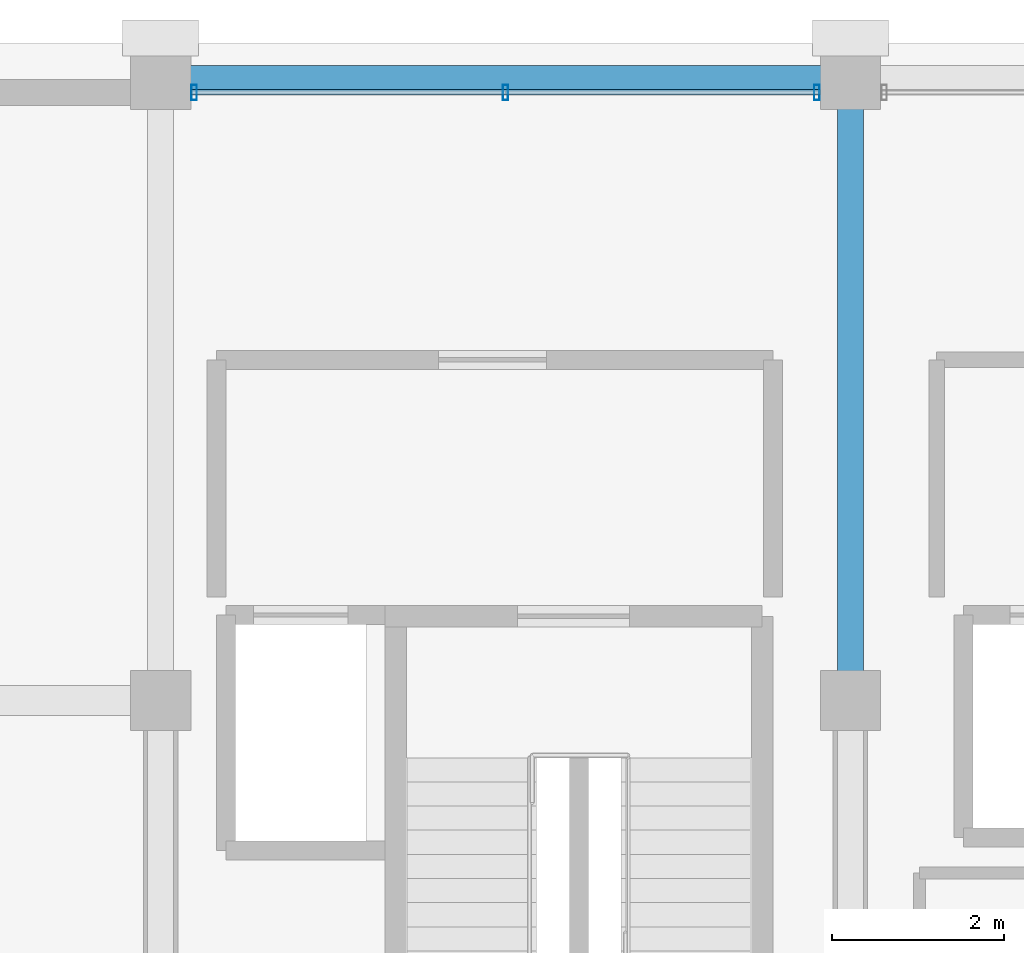
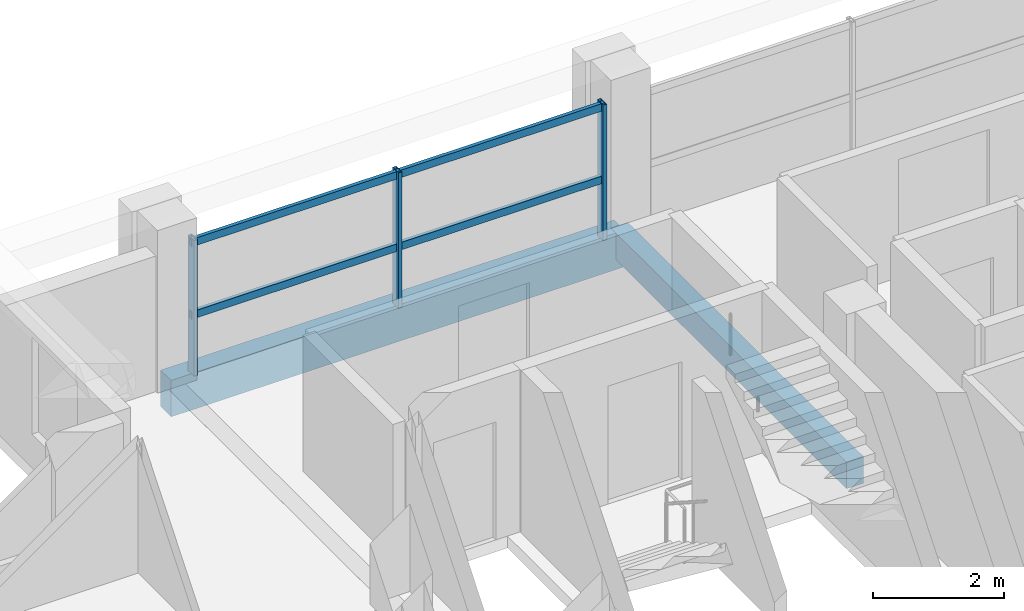
# One storey, part 11 of 21: 5 members, 2 beams, 1 element without a shape of its own.
"""IFC4 building model written with IfcOpenShell, lengths in metres."""

from ifc_helpers import new_model, si_unit, direction, frame, origin, origin_2d, place, context, subcontext, project, spatial, rectangle, hollow_rectangle, extrude, material, material_profile, profile_set, type_object, element, aggregate, save


model = new_model("IFC4")

# Units and contexts
model_context = context("Model", 3, precision=1e-05, world=origin(), true_north=direction((0.0, 1.0)))
body_context = subcontext(model_context, "Body", "Model", "MODEL_VIEW")
ifc_project = project(units=[si_unit("LENGTHUNIT", "METRE"), si_unit("AREAUNIT", "SQUARE_METRE"), si_unit("VOLUMEUNIT", "CUBIC_METRE"), si_unit("PLANEANGLEUNIT", "RADIAN"), si_unit("MASSUNIT", "GRAM", prefix="KILO")], contexts=[model_context])

# Site, building, storey
site_placement = place(None, origin())
site = spatial("IfcSite", under=ifc_project, at=site_placement, CompositionType="ELEMENT")
building_placement = place(site_placement, origin())
building = spatial("IfcBuilding", under=site, at=building_placement, Name="Akrevak Sports Hall", CompositionType="ELEMENT")
storey_placement = place(building_placement, frame((0.0, 0.0, 53.550048828125)))
storey = spatial("IfcBuildingStorey", under=building, at=storey_placement, Name="L13", CompositionType="ELEMENT", Elevation=53.550048828125)

# Curtain wall, members
ifc_material_1 = material(Name="Anodized Bronze Aluminium & Low-E Glass", Category="aluminium")
curtain_wall_type = type_object("IfcCurtainWallType", Name="ARC-CW-TWR-68x30", PredefinedType="NOTDEFINED", material=ifc_material_1)
curtain_wall_placement = place(storey_placement, origin())
curtain_wall = element("IfcCurtainWall", 1, at=curtain_wall_placement, inside=storey, type_object=curtain_wall_type, Name="Curtain Wall CW-L13-N22", PredefinedType="NOTDEFINED")
ifc_material_2 = material(Name="Anodized Bronze Aluminium", Category="aluminium")
ifc_material_profile_1 = material_profile(ifc_material_2, hollow_rectangle(XDim=0.06494140625, YDim=0.179931640625, WallThickness=0.00390625, at=origin_2d()), Name="CWM 65x180", Category="aluminium")
ifc_profile_set_1 = profile_set([ifc_material_profile_1], Name="Anodized Bronze Aluminium")
member_type_1 = type_object("IfcMemberType", Name="ARC-CWM-65x140", PredefinedType="MULLION", material=ifc_profile_set_1)
member_1_placement = place(storey_placement, frame((67.610107421875, 69.449951171875, 0.0), z_axis=(0.0, 0.0, 1.0), x_axis=(-1.0, 0.0, 0.0)))
member_1 = element("IfcMember", 2, at=member_1_placement, type_object=member_type_1, Name="Curtain Wall Mullion CW-L13-N22-M1", PredefinedType="MULLION", context=body_context, shape_type="SweptSolid", body=[
    extrude(hollow_rectangle(XDim=0.06494140625, YDim=0.179931640625, WallThickness=0.00390625, at=origin_2d()), origin(), (0.0, 0.0, 1.0), 2.530029296875),
])
member_2_placement = place(storey_placement, frame((64.0, 69.449951171875, 0.0), z_axis=(0.0, 0.0, 1.0), x_axis=(-1.0, 0.0, 0.0)))
member_2 = element("IfcMember", 3, at=member_2_placement, type_object=member_type_1, Name="Curtain Wall Mullion CW-L13-N22-M2", PredefinedType="MULLION", context=body_context, shape_type="SweptSolid", body=[
    extrude(hollow_rectangle(XDim=0.06494140625, YDim=0.179931640625, WallThickness=0.00390625, at=origin_2d()), origin(), (0.0, 0.0, 1.0), 2.530029296875),
])
member_3_placement = place(storey_placement, frame((60.389892578125, 69.449951171875, 0.0), z_axis=(0.0, 0.0, 1.0), x_axis=(-1.0, 0.0, 0.0)))
member_3 = element("IfcMember", 4, at=member_3_placement, type_object=member_type_1, Name="Curtain Wall Mullion CW-L13-N22-M3", PredefinedType="MULLION", context=body_context, shape_type="SweptSolid", body=[
    extrude(hollow_rectangle(XDim=0.06494140625, YDim=0.179931640625, WallThickness=0.00390625, at=origin_2d()), origin(), (0.0, 0.0, 1.0), 2.530029296875),
])
ifc_material_profile_2 = material_profile(ifc_material_2, hollow_rectangle(XDim=0.06494140625, YDim=0.139892578125, WallThickness=0.00390625, at=origin_2d()), Name="CWT 65x140", Category="aluminium")
ifc_profile_set_2 = profile_set([ifc_material_profile_2], Name="Anodized Bronze Aluminium")
member_type_2 = type_object("IfcMemberType", Name="ARC-CWT-65x110", PredefinedType="USERDEFINED", material=ifc_profile_set_2)
member_4_placement = place(storey_placement, frame((67.64990234375, 69.449951171875, 1.099853515625), z_axis=(-1.0, 0.0, 0.0), x_axis=(0.0, -1.0, 0.0)))
member_4 = element("IfcMember", 5, at=member_4_placement, type_object=member_type_2, Name="Curtain Wall Transom CW-L13-N22-T1", ObjectType="TRANSOM", PredefinedType="USERDEFINED", context=body_context, shape_type="SweptSolid", body=[
    extrude(hollow_rectangle(XDim=0.06494140625, YDim=0.139892578125, WallThickness=0.00390625, at=origin_2d()), origin(), (0.0, 0.0, 1.0), 7.2998046875),
])
member_5_placement = place(storey_placement, frame((67.64990234375, 69.449951171875, 2.449951171875), z_axis=(-1.0, 0.0, 0.0), x_axis=(0.0, -1.0, 0.0)))
member_5 = element("IfcMember", 6, at=member_5_placement, type_object=member_type_2, Name="Curtain Wall Transom CW-L13-N22-T2", ObjectType="TRANSOM", PredefinedType="USERDEFINED", context=body_context, shape_type="SweptSolid", body=[
    extrude(hollow_rectangle(XDim=0.06494140625, YDim=0.139892578125, WallThickness=0.00390625, at=origin_2d()), origin(), (0.0, 0.0, 1.0), 7.2998046875),
])
aggregate(curtain_wall, [member_1, member_2, member_3, member_4, member_5])

# Beams
ifc_material_3 = material(Name="Concrete C40/50", Category="concrete")
ifc_material_profile_3 = material_profile(ifc_material_3, rectangle(XDim=0.300048828125, YDim=0.5, at=origin_2d()), Name="BM 300x500", Category="concrete")
ifc_profile_set_3 = profile_set([ifc_material_profile_3], Name="Concrete C40/50")
beam_type_1 = type_object("IfcBeamType", Name="STR-BM-RC300x500", PredefinedType="BEAM", material=ifc_profile_set_3)
beam_1_placement = place(storey_placement, frame((68.0, 62.39990234375, -0.25), z_axis=(0.0, 1.0, 0.0), x_axis=(-1.0, 0.0, 0.0)))
element("IfcBeam", 7, at=beam_1_placement, inside=storey, type_object=beam_type_1, Name="Girder 10/J-K (L13)", PredefinedType="BEAM", context=body_context, shape_type="SweptSolid", body=[
    extrude(rectangle(XDim=0.300048828125, YDim=0.5, at=origin_2d()), origin(), (0.0, 0.0, 1.0), 7.2001953125),
])
ifc_material_profile_4 = material_profile(ifc_material_3, rectangle(XDim=0.320068359375, YDim=0.679931640625, at=origin_2d()), Name="SPD 320x680", Category="concrete")
ifc_profile_set_4 = profile_set([ifc_material_profile_4], Name="Concrete C40/50")
beam_type_2 = type_object("IfcBeamType", Name="STR-SPD-RC320x680", PredefinedType="SPANDREL", material=ifc_profile_set_4)
beam_2_placement = place(storey_placement, frame((60.0, 69.60009765625, -0.340087890625), z_axis=(1.0, 0.0, 0.0), x_axis=(0.0, 1.0, 0.0)))
element("IfcBeam", 8, at=beam_2_placement, inside=storey, type_object=beam_type_2, Name="Girder K/9-10 (L13)", PredefinedType="SPANDREL", context=body_context, shape_type="SweptSolid", body=[
    extrude(rectangle(XDim=0.320068359375, YDim=0.679931640625, at=origin_2d()), origin(), (0.0, 0.0, 1.0), 8.0),
])

save(model, "model.ifc")
